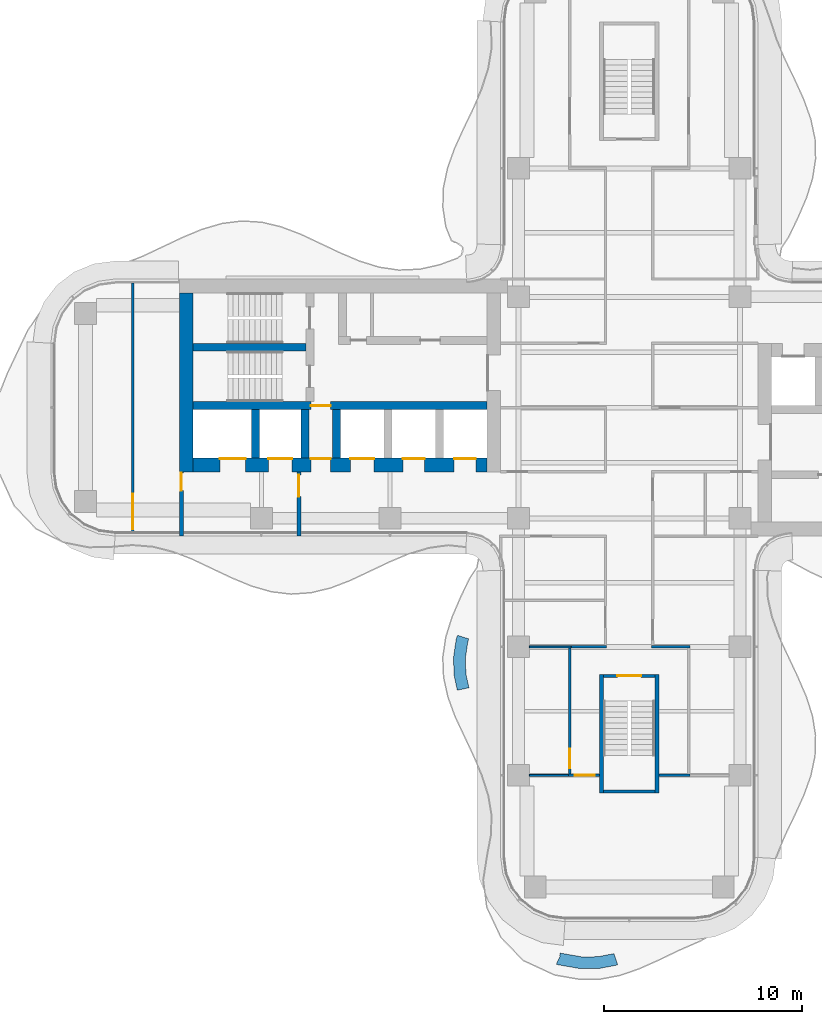
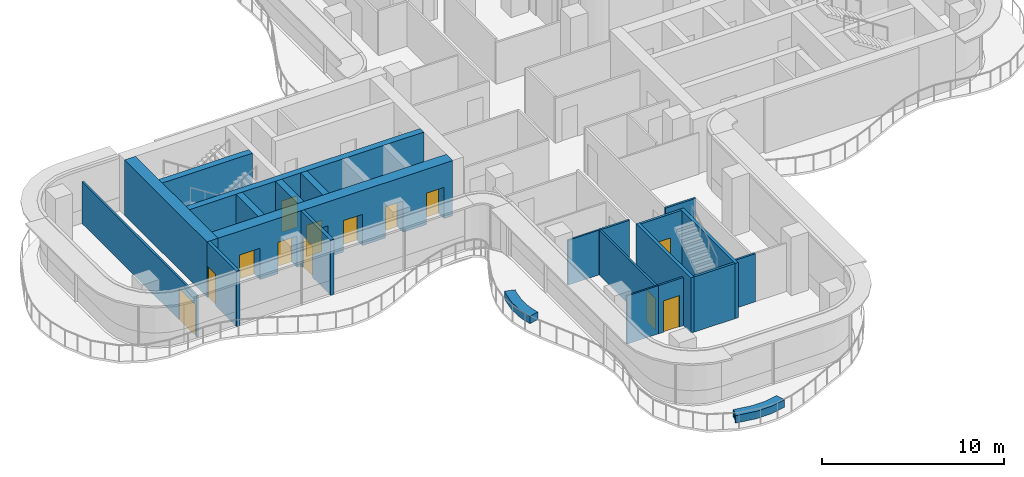
# One storey, part 13 of 18: 23 walls, 13 doors, 13 openings.
"""IFC4 building model written with IfcOpenShell, lengths in metres."""

from ifc_helpers import new_model, si_unit, direction, frame, frame_2d, origin, place, context, subcontext, project, spatial, polyline, rectangle, outline, extrude, source, transform, mapped, material, layer, layer_set, type_object, element, fill, save


model = new_model("IFC4")

# Units and contexts
model_context = context("Model", 3, precision=1e-05, world=origin(), true_north=direction((0.0, 1.0)))
body_context = subcontext(model_context, "Body", "Model", "MODEL_VIEW")
ifc_project = project(units=[si_unit("LENGTHUNIT", "METRE"), si_unit("AREAUNIT", "SQUARE_METRE"), si_unit("VOLUMEUNIT", "CUBIC_METRE"), si_unit("PLANEANGLEUNIT", "RADIAN"), si_unit("MASSUNIT", "GRAM", prefix="KILO")], contexts=[model_context])

# Site, building, storey
site_placement = place(None, origin())
site = spatial("IfcSite", under=ifc_project, at=site_placement, CompositionType="ELEMENT")
building_placement = place(site_placement, origin())
building = spatial("IfcBuilding", under=site, at=building_placement, Name="Trellis Farm Tower", CompositionType="ELEMENT")
storey_placement = place(building_placement, frame((0.0, 0.0, 224.60009765625)))
storey = spatial("IfcBuildingStorey", under=building, at=storey_placement, Name="L49", CompositionType="ELEMENT", Elevation=224.60009765625)

# Walls
ifc_material_1 = material(Name="Sandstone faced masonry planter", Category="masonry")
ifc_layer_1 = layer(ifc_material_1, 0.60009765625)
ifc_layer_set_1 = layer_set([ifc_layer_1], Name="PLANTER BED 600")
wall_type_1 = type_object("IfcWallType", Name="PLANTER BED 600", PredefinedType="USERDEFINED", material=ifc_layer_set_1)
placement = place(storey_placement, origin())
element("IfcWall", 1, at=placement, inside=storey, type_object=wall_type_1, Name="PLANTER bed", ObjectType="PLANTER", PredefinedType="USERDEFINED", context=body_context, shape_type="SweptSolid", body=[
    extrude(outline(polyline([(-3.496826171875, -27.74169921875), (-3.51708984375, -27.7353515625), (-3.4912109375, -27.587646484375), (-2.415771484375, -27.775390625), (-1.593017578125, -27.77197265625), (-0.773193359375, -27.6162109375), (-0.5791015625, -28.183837890625), (-1.53564453125, -28.371826171875), (-2.466552734375, -28.37548828125), (-3.63330078125, -28.171875), (-3.685302734375, -28.14794921875), (-3.496826171875, -27.74169921875)])), origin(), (0.0, 0.0, 1.0), 0.5),
])
element("IfcWall", 2, at=placement, inside=storey, type_object=wall_type_1, Name="PLANTER bed", ObjectType="PLANTER", PredefinedType="USERDEFINED", context=body_context, shape_type="SweptSolid", body=[
    extrude(outline(polyline([(-8.888671875, -12.6533203125), (-8.749267578125, -11.718505859375), (-8.686279296875, -11.517822265625), (-8.11376953125, -11.697509765625), (-8.16259765625, -11.853515625), (-8.287109375, -12.6865234375), (-8.257080078125, -13.476318359375), (-8.106689453125, -14.169189453125), (-8.693115234375, -14.29638671875), (-8.8544921875, -13.552001953125), (-8.888671875, -12.6533203125)])), origin(), (0.0, 0.0, 1.0), 0.5),
])
ifc_material_2 = material(Name="Concrete C60/75", Category="concrete")
ifc_layer_2 = layer(ifc_material_2, 0.699951171875)
ifc_layer_set_2 = layer_set([ifc_layer_2], Name="CORE OUTER WALL 700 CONCRETE C60/75")
wall_type_2 = type_object("IfcWallType", Name="CORE OUTER WALL 700 CONCRETE C60/75", PredefinedType="SHEAR", material=ifc_layer_set_2)
shared_shape_1 = source(origin(), body_context, "Body", "SweptSolid", [
    extrude(rectangle(XDim=9.050048828125, YDim=0.699951171875, at=frame_2d((4.52490234375, 0.0))), origin(), (0.0, 0.0, 1.0), 3.699951171875),
])
wall_3_placement = place(storey_placement, frame((-22.39990234375, 5.800048828125, 0.0), z_axis=(0.0, 0.0, 1.0), x_axis=(0.0, -1.0, 0.0)))
element("IfcWall", 3, at=wall_3_placement, inside=storey, type_object=wall_type_2, Name="Core wall", PredefinedType="SHEAR", context=body_context, shape_type="MappedRepresentation", body=[
    mapped(shared_shape_1, transform((0.0, 0.0, 0.0))),
])
ifc_layer_3 = layer(ifc_material_2, 0.39990234375)
ifc_layer_set_3 = layer_set([ifc_layer_3], Name="CORE INNER WALL 400 CONCRETE C60/75")
wall_type_3 = type_object("IfcWallType", Name="CORE INNER WALL 400 CONCRETE C60/75", PredefinedType="SHEAR", material=ifc_layer_set_3)
shared_shape_2 = source(origin(), body_context, "Body", "SweptSolid", [
    extrude(rectangle(XDim=2.449951171875, YDim=0.39990234375, at=frame_2d((1.22509765625, 0.0))), origin(), (0.0, 0.0, 1.0), 3.699951171875),
])
for number, where, z_axis, x_axis, name in (
    (4, (-14.800048828125, -0.10009765625, 0.0), (0.0, 0.0, 1.0), (0.0, -1.0, 0.0), "Core wall"),
    (5, (-16.39990234375, -0.10009765625, 0.0), (0.0, 0.0, 1.0), (0.0, -1.0, 0.0), "Core wall"),
    (6, (-18.89990234375, -0.10009765625, 0.0), (0.0, 0.0, 1.0), (0.0, -1.0, 0.0), "Core wall"),
):
    element("IfcWall", number, at=place(storey_placement, frame(where, z_axis=z_axis, x_axis=x_axis)), inside=storey, type_object=wall_type_3, Name=name, PredefinedType="SHEAR", context=body_context, shape_type="MappedRepresentation", body=[
        mapped(shared_shape_2, transform((0.0, 0.0, 0.0))),
    ])

# Wall, opening, door
ifc_material_3 = material(Name="Masonry blockwork", Category="masonry")
ifc_layer_4 = layer(ifc_material_3, 0.199951171875)
ifc_layer_set_4 = layer_set([ifc_layer_4], Name="FIRE LOBBY PARTITION 200 BLOCKWORK")
wall_type_4 = type_object("IfcWallType", Name="FIRE LOBBY PARTITION 200 BLOCKWORK", PredefinedType="PARTITIONING", material=ifc_layer_set_4)
shared_shape_3 = source(origin(), body_context, "Body", "SweptSolid", [
    extrude(rectangle(XDim=3.25, YDim=0.199951171875, at=frame_2d((1.625, 0.0))), origin(), (0.0, 0.0, 1.0), 3.699951171875),
])
wall_4_placement = place(storey_placement, frame((-16.699951171875, -3.25, 0.0), z_axis=(0.0, 0.0, 1.0), x_axis=(0.0, -1.0, 0.0)))
wall_4 = element("IfcWall", 7, at=wall_4_placement, inside=storey, type_object=wall_type_4, Name="Fire-fighting lobby partition", PredefinedType="PARTITIONING", context=body_context, shape_type="MappedRepresentation", body=[
    mapped(shared_shape_3, transform((0.0, 0.0, 0.0))),
])
shared_shape_4 = source(origin(), body_context, "Body", "SweptSolid", [
    extrude(rectangle(XDim=1.10009765625, YDim=2.10009765625, at=frame_2d((0.550048828125, 1.050048828125))), frame((0.0, 0.110107421875, 0.0), z_axis=(0.0, -1.0, 0.0), x_axis=(1.0, 0.0, 0.0)), (0.0, 0.0, 1.0), 0.22021484375),
])
opening_1_placement = place(wall_4_placement, frame((0.14990234375, 0.0, 0.0)))
opening_1 = element("IfcOpeningElement", 8, at=opening_1_placement, cuts=wall_4, Name="Opening DC93", PredefinedType="OPENING", context=body_context, shape_type="MappedRepresentation", body=[
    mapped(shared_shape_4, transform((0.0, 0.0, 0.0))),
])
ifc_material_4 = material(Name="Steel", Category="steel")
door_type_1 = type_object("IfcDoorType", Name="CORE FIRE DOOR 1100 X 2100", OperationType="NOTDEFINED", PredefinedType="DOOR", material=ifc_material_4)
shared_shape_5 = source(origin(), body_context, "Body", "SweptSolid", [
    extrude(rectangle(XDim=1.10009765625, YDim=2.10009765625, at=frame_2d((0.550048828125, 1.050048828125))), frame((0.0, 0.02490234375, 0.0), z_axis=(0.0, -1.0, 0.0), x_axis=(1.0, 0.0, 0.0)), (0.0, 0.0, 1.0), 0.050048828125),
])
door_1_placement = place(opening_1_placement, origin())
door_1 = element("IfcDoor", 9, at=door_1_placement, inside=storey, type_object=door_type_1, Name="Core door", OperationType="SINGLE_SWING_RIGHT", OverallHeight=2.10009765625, OverallWidth=1.10009765625, PredefinedType="DOOR", context=body_context, shape_type="MappedRepresentation", body=[
    mapped(shared_shape_5, transform((0.0, 0.0, 0.0))),
])
fill(opening_1, door_1)

wall_5_placement = place(storey_placement, frame((-22.64990234375, -3.25, 0.0), z_axis=(0.0, 0.0, 1.0), x_axis=(0.0, -1.0, 0.0)))
wall_5 = element("IfcWall", 10, at=wall_5_placement, inside=storey, type_object=wall_type_4, Name="Fire-fighting lobby partition", PredefinedType="PARTITIONING", context=body_context, shape_type="MappedRepresentation", body=[
    mapped(shared_shape_3, transform((0.0, 0.0, 0.0))),
])
shared_shape_6 = source(origin(), body_context, "Body", "SweptSolid", [
    extrude(rectangle(XDim=0.89990234375, YDim=2.10009765625, at=frame_2d((0.449951171875, 1.050048828125))), frame((0.0, 0.110107421875, 0.0), z_axis=(0.0, -1.0, 0.0), x_axis=(1.0, 0.0, 0.0)), (0.0, 0.0, 1.0), 0.22021484375),
])
opening_2_placement = place(wall_5_placement, frame((0.050048828125, 0.0, 0.0)))
opening_2 = element("IfcOpeningElement", 11, at=opening_2_placement, cuts=wall_5, Name="Opening DC94", PredefinedType="OPENING", context=body_context, shape_type="MappedRepresentation", body=[
    mapped(shared_shape_6, transform((0.0, 0.0, 0.0))),
])
door_type_2 = type_object("IfcDoorType", Name="CORE FIRE DOOR 900 X 2100", OperationType="NOTDEFINED", PredefinedType="DOOR", material=ifc_material_4)
shared_shape_7 = source(origin(), body_context, "Body", "SweptSolid", [
    extrude(rectangle(XDim=0.89990234375, YDim=2.10009765625, at=frame_2d((0.449951171875, 1.050048828125))), frame((0.0, 0.02490234375, 0.0), z_axis=(0.0, -1.0, 0.0), x_axis=(1.0, 0.0, 0.0)), (0.0, 0.0, 1.0), 0.050048828125),
])
door_2_placement = place(opening_2_placement, origin())
door_2 = element("IfcDoor", 12, at=door_2_placement, inside=storey, type_object=door_type_2, Name="Core door", OperationType="SINGLE_SWING_RIGHT", OverallHeight=2.10009765625, OverallWidth=0.89990234375, PredefinedType="DOOR", context=body_context, shape_type="MappedRepresentation", body=[
    mapped(shared_shape_7, transform((0.0, 0.0, 0.0))),
])
fill(opening_2, door_2)

# Wall, openings, doors
shared_shape_8 = source(origin(), body_context, "Body", "SweptSolid", [
    extrude(rectangle(XDim=14.85009765625, YDim=0.699951171875, at=frame_2d((7.425048828125, 0.0))), origin(), (0.0, 0.0, 1.0), 3.699951171875),
])
wall_6_placement = place(storey_placement, frame((-7.199951171875, -2.89990234375, 0.0), z_axis=(0.0, 0.0, 1.0), x_axis=(-1.0, 0.0, 0.0)))
wall_6 = element("IfcWall", 13, at=wall_6_placement, inside=storey, type_object=wall_type_2, Name="Core wall", PredefinedType="SHEAR", context=body_context, shape_type="MappedRepresentation", body=[
    mapped(shared_shape_8, transform((0.0, 0.0, 0.0))),
])
shared_shape_9 = source(origin(), body_context, "Body", "SweptSolid", [
    extrude(rectangle(XDim=1.10009765625, YDim=2.10009765625, at=frame_2d((0.550048828125, 1.050048828125))), frame((0.0, 0.360107421875, 0.0), z_axis=(0.0, -1.0, 0.0), x_axis=(1.0, 0.0, 0.0)), (0.0, 0.0, 1.0), 0.72021484375),
])
opening_3_placement = place(wall_6_placement, frame((0.550048828125, 0.0, 0.0)))
opening_3 = element("IfcOpeningElement", 14, at=opening_3_placement, cuts=wall_6, Name="Opening LD12", PredefinedType="OPENING", context=body_context, shape_type="MappedRepresentation", body=[
    mapped(shared_shape_9, transform((0.0, 0.0, 0.0))),
])
opening_4_placement = place(wall_6_placement, frame((3.14990234375, 0.0, 0.0)))
opening_4 = element("IfcOpeningElement", 15, at=opening_4_placement, cuts=wall_6, Name="Opening LD13", PredefinedType="OPENING", context=body_context, shape_type="MappedRepresentation", body=[
    mapped(shared_shape_9, transform((0.0, 0.0, 0.0))),
])
shared_shape_10 = source(origin(), body_context, "Body", "SweptSolid", [
    extrude(rectangle(XDim=1.199951171875, YDim=2.10009765625, at=frame_2d((0.60009765625, 1.050048828125))), frame((0.0, 0.360107421875, 0.0), z_axis=(0.0, -1.0, 0.0), x_axis=(1.0, 0.0, 0.0)), (0.0, 0.0, 1.0), 0.72021484375),
])
opening_5_placement = place(wall_6_placement, frame((5.699951171875, 0.0, 0.0)))
opening_5 = element("IfcOpeningElement", 16, at=opening_5_placement, cuts=wall_6, Name="Opening LD14", PredefinedType="OPENING", context=body_context, shape_type="MappedRepresentation", body=[
    mapped(shared_shape_10, transform((0.0, 0.0, 0.0))),
])
shared_shape_11 = source(origin(), body_context, "Body", "SweptSolid", [
    extrude(rectangle(XDim=1.300048828125, YDim=2.10009765625, at=frame_2d((0.64990234375, 1.050048828125))), frame((0.0, 0.360107421875, 0.0), z_axis=(0.0, -1.0, 0.0), x_axis=(1.0, 0.0, 0.0)), (0.0, 0.0, 1.0), 0.72021484375),
])
opening_6_placement = place(wall_6_placement, frame((12.199951171875, 0.0, 0.0)))
opening_6 = element("IfcOpeningElement", 17, at=opening_6_placement, cuts=wall_6, Name="Opening LD15", PredefinedType="OPENING", context=body_context, shape_type="MappedRepresentation", body=[
    mapped(shared_shape_11, transform((0.0, 0.0, 0.0))),
])
opening_7_placement = place(wall_6_placement, frame((9.85009765625, 0.0, 0.0)))
opening_7 = element("IfcOpeningElement", 18, at=opening_7_placement, cuts=wall_6, Name="Opening LD16", PredefinedType="OPENING", context=body_context, shape_type="MappedRepresentation", body=[
    mapped(shared_shape_10, transform((0.0, 0.0, 0.0))),
])
shared_shape_12 = source(origin(), body_context, "Body", "SweptSolid", [
    extrude(rectangle(XDim=1.0, YDim=2.10009765625, at=frame_2d((0.5, 1.050048828125))), frame((0.0, 0.360107421875, 0.0), z_axis=(0.0, -1.0, 0.0), x_axis=(1.0, 0.0, 0.0)), (0.0, 0.0, 1.0), 0.72021484375),
])
opening_8_placement = place(wall_6_placement, frame((7.89990234375, 0.0, 0.0)))
opening_8 = element("IfcOpeningElement", 19, at=opening_8_placement, cuts=wall_6, Name="Opening DC92", PredefinedType="OPENING", context=body_context, shape_type="MappedRepresentation", body=[
    mapped(shared_shape_12, transform((0.0, 0.0, 0.0))),
])
door_type_3 = type_object("IfcDoorType", Name="CORE FIRE DOOR 1000 X 2100", OperationType="NOTDEFINED", PredefinedType="DOOR", material=ifc_material_4)
shared_shape_13 = source(origin(), body_context, "Body", "SweptSolid", [
    extrude(rectangle(XDim=1.0, YDim=2.10009765625, at=frame_2d((0.5, 1.050048828125))), frame((0.0, -0.27490234375, 0.0), z_axis=(0.0, -1.0, 0.0), x_axis=(1.0, 0.0, 0.0)), (0.0, 0.0, 1.0), 0.050048828125),
])
door_3_placement = place(opening_8_placement, origin())
door_3 = element("IfcDoor", 20, at=door_3_placement, inside=storey, type_object=door_type_3, Name="Core door", OperationType="SINGLE_SWING_LEFT", OverallHeight=2.10009765625, OverallWidth=1.0, PredefinedType="DOOR", context=body_context, shape_type="MappedRepresentation", body=[
    mapped(shared_shape_13, transform((0.0, 0.0, 0.0))),
])
fill(opening_8, door_3)
ifc_material_5 = material(Name="Stainless steel", Category="steel")
door_type_4 = type_object("IfcDoorType", Name="LIFT LANDING DOOR 1300 X 2100", OperationType="DOUBLE_DOOR_SLIDING", PredefinedType="DOOR", material=ifc_material_5)
shared_shape_14 = source(origin(), body_context, "Body", "SweptSolid", [
    extrude(rectangle(XDim=1.300048828125, YDim=2.10009765625, at=frame_2d((0.64990234375, 1.050048828125))), frame((0.0, -0.27490234375, 0.0), z_axis=(0.0, -1.0, 0.0), x_axis=(1.0, 0.0, 0.0)), (0.0, 0.0, 1.0), 0.050048828125),
])
door_4_placement = place(opening_6_placement, origin())
door_4 = element("IfcDoor", 21, at=door_4_placement, inside=storey, type_object=door_type_4, Name="Lift landing door", OperationType="DOUBLE_DOOR_SLIDING", OverallHeight=2.10009765625, OverallWidth=1.300048828125, PredefinedType="DOOR", context=body_context, shape_type="MappedRepresentation", body=[
    mapped(shared_shape_14, transform((0.0, 0.0, 0.0))),
])
fill(opening_6, door_4)
door_type_5 = type_object("IfcDoorType", Name="LIFT LANDING DOOR 1200 X 2100", OperationType="DOUBLE_DOOR_SLIDING", PredefinedType="DOOR", material=ifc_material_5)
shared_shape_15 = source(origin(), body_context, "Body", "SweptSolid", [
    extrude(rectangle(XDim=1.199951171875, YDim=2.10009765625, at=frame_2d((0.60009765625, 1.050048828125))), frame((0.0, -0.27490234375, 0.0), z_axis=(0.0, -1.0, 0.0), x_axis=(1.0, 0.0, 0.0)), (0.0, 0.0, 1.0), 0.050048828125),
])
door_5_placement = place(opening_5_placement, origin())
door_5 = element("IfcDoor", 22, at=door_5_placement, inside=storey, type_object=door_type_5, Name="Lift landing door", OperationType="DOUBLE_DOOR_SLIDING", OverallHeight=2.10009765625, OverallWidth=1.199951171875, PredefinedType="DOOR", context=body_context, shape_type="MappedRepresentation", body=[
    mapped(shared_shape_15, transform((0.0, 0.0, 0.0))),
])
fill(opening_5, door_5)
door_6_placement = place(opening_7_placement, origin())
door_6 = element("IfcDoor", 23, at=door_6_placement, inside=storey, type_object=door_type_5, Name="Lift landing door", OperationType="DOUBLE_DOOR_SLIDING", OverallHeight=2.10009765625, OverallWidth=1.199951171875, PredefinedType="DOOR", context=body_context, shape_type="MappedRepresentation", body=[
    mapped(shared_shape_15, transform((0.0, 0.0, 0.0))),
])
fill(opening_7, door_6)
door_type_6 = type_object("IfcDoorType", Name="LIFT LANDING DOOR 1100 X 2100", OperationType="DOUBLE_DOOR_SLIDING", PredefinedType="DOOR", material=ifc_material_5)
shared_shape_16 = source(origin(), body_context, "Body", "SweptSolid", [
    extrude(rectangle(XDim=1.10009765625, YDim=2.10009765625, at=frame_2d((0.550048828125, 1.050048828125))), frame((0.0, -0.27490234375, 0.0), z_axis=(0.0, -1.0, 0.0), x_axis=(1.0, 0.0, 0.0)), (0.0, 0.0, 1.0), 0.050048828125),
])
door_7_placement = place(opening_3_placement, origin())
door_7 = element("IfcDoor", 24, at=door_7_placement, inside=storey, type_object=door_type_6, Name="Lift landing door", OperationType="DOUBLE_DOOR_SLIDING", OverallHeight=2.10009765625, OverallWidth=1.10009765625, PredefinedType="DOOR", context=body_context, shape_type="MappedRepresentation", body=[
    mapped(shared_shape_16, transform((0.0, 0.0, 0.0))),
])
fill(opening_3, door_7)
door_8_placement = place(opening_4_placement, origin())
door_8 = element("IfcDoor", 25, at=door_8_placement, inside=storey, type_object=door_type_6, Name="Lift landing door", OperationType="DOUBLE_DOOR_SLIDING", OverallHeight=2.10009765625, OverallWidth=1.10009765625, PredefinedType="DOOR", context=body_context, shape_type="MappedRepresentation", body=[
    mapped(shared_shape_16, transform((0.0, 0.0, 0.0))),
])
fill(opening_4, door_8)

# Wall, opening, door
shared_shape_17 = source(origin(), body_context, "Body", "SweptSolid", [
    extrude(rectangle(XDim=14.85009765625, YDim=0.39990234375, at=frame_2d((7.425048828125, 0.0))), origin(), (0.0, 0.0, 1.0), 3.699951171875),
])
wall_7_placement = place(storey_placement, frame((-7.199951171875, 0.10009765625, 0.0), z_axis=(0.0, 0.0, 1.0), x_axis=(-1.0, 0.0, 0.0)))
wall_7 = element("IfcWall", 26, at=wall_7_placement, inside=storey, type_object=wall_type_3, Name="Core wall", PredefinedType="SHEAR", context=body_context, shape_type="MappedRepresentation", body=[
    mapped(shared_shape_17, transform((0.0, 0.0, 0.0))),
])
shared_shape_18 = source(origin(), body_context, "Body", "SweptSolid", [
    extrude(rectangle(XDim=1.0, YDim=2.10009765625, at=frame_2d((0.5, 1.050048828125))), frame((0.0, 0.2099609375, 0.0), z_axis=(0.0, -1.0, 0.0), x_axis=(1.0, 0.0, 0.0)), (0.0, 0.0, 1.0), 0.419921875),
])
opening_9_placement = place(wall_7_placement, frame((7.89990234375, 0.0, 0.0)))
opening_9 = element("IfcOpeningElement", 27, at=opening_9_placement, cuts=wall_7, Name="Opening DC91", PredefinedType="OPENING", context=body_context, shape_type="MappedRepresentation", body=[
    mapped(shared_shape_18, transform((0.0, 0.0, 0.0))),
])
shared_shape_19 = source(origin(), body_context, "Body", "SweptSolid", [
    extrude(rectangle(XDim=1.0, YDim=2.10009765625, at=frame_2d((0.5, 1.050048828125))), frame((0.0, 0.02490234375, 0.0), z_axis=(0.0, -1.0, 0.0), x_axis=(1.0, 0.0, 0.0)), (0.0, 0.0, 1.0), 0.050048828125),
])
door_9_placement = place(opening_9_placement, origin())
door_9 = element("IfcDoor", 28, at=door_9_placement, inside=storey, type_object=door_type_3, Name="Core door", OperationType="SINGLE_SWING_RIGHT", OverallHeight=2.10009765625, OverallWidth=1.0, PredefinedType="DOOR", context=body_context, shape_type="MappedRepresentation", body=[
    mapped(shared_shape_19, transform((0.0, 0.0, 0.0))),
])
fill(opening_9, door_9)

# Walls
shared_shape_20 = source(origin(), body_context, "Body", "SweptSolid", [
    extrude(rectangle(XDim=5.699951171875, YDim=0.39990234375, at=frame_2d((2.85009765625, 0.0))), origin(), (0.0, 0.0, 1.0), 3.699951171875),
])
wall_8_placement = place(storey_placement, frame((-16.35009765625, 3.050048828125, 0.0), z_axis=(0.0, 0.0, 1.0), x_axis=(-1.0, 0.0, 0.0)))
element("IfcWall", 29, at=wall_8_placement, inside=storey, type_object=wall_type_3, Name="Core wall", PredefinedType="SHEAR", context=body_context, shape_type="MappedRepresentation", body=[
    mapped(shared_shape_20, transform((0.0, 0.0, 0.0))),
])
ifc_layer_5 = layer(ifc_material_2, 0.199951171875)
ifc_layer_set_5 = layer_set([ifc_layer_5], Name="CORE STAIR ENCLOSURE WALL 200 CONCRETE C60/75")
wall_type_5 = type_object("IfcWallType", Name="CORE STAIR ENCLOSURE WALL 200 CONCRETE C60/75", PredefinedType="SHEAR", material=ifc_layer_set_5)
shared_shape_21 = source(origin(), body_context, "Body", "SweptSolid", [
    extrude(rectangle(XDim=6.0, YDim=0.199951171875, at=frame_2d((3.0, 0.0))), origin(), (0.0, 0.0, 1.0), 3.699951171875),
])
for number, where, z_axis, x_axis, name in (
    (30, (1.39990234375, -13.5, 0.0), (0.0, 0.0, 1.0), (0.0, -1.0, 0.0), "Stair enclosure wall"),
    (31, (-1.39990234375, -13.5, 0.0), (0.0, 0.0, 1.0), (0.0, -1.0, 0.0), "Stair enclosure wall"),
):
    element("IfcWall", number, at=place(storey_placement, frame(where, z_axis=z_axis, x_axis=x_axis)), inside=storey, type_object=wall_type_5, Name=name, PredefinedType="SHEAR", context=body_context, shape_type="MappedRepresentation", body=[
        mapped(shared_shape_21, transform((0.0, 0.0, 0.0))),
    ])

# Wall, opening, door
ifc_layer_6 = layer(ifc_material_2, 0.14990234375)
ifc_layer_set_6 = layer_set([ifc_layer_6], Name="CORE STAIR ENCLOSURE WALL 150 CONCRETE C60/75")
wall_type_6 = type_object("IfcWallType", Name="CORE STAIR ENCLOSURE WALL 150 CONCRETE C60/75", PredefinedType="SHEAR", material=ifc_layer_set_6)
shared_shape_22 = source(origin(), body_context, "Body", "SweptSolid", [
    extrude(rectangle(XDim=2.60009765625, YDim=0.14990234375, at=frame_2d((1.300048828125, 0.0))), origin(), (0.0, 0.0, 1.0), 3.699951171875),
])
wall_9_placement = place(storey_placement, frame((1.300048828125, -13.574951171875, 0.0), z_axis=(0.0, 0.0, 1.0), x_axis=(-1.0, 0.0, 0.0)))
wall_9 = element("IfcWall", 32, at=wall_9_placement, inside=storey, type_object=wall_type_6, Name="Stair enclosure wall", PredefinedType="SHEAR", context=body_context, shape_type="MappedRepresentation", body=[
    mapped(shared_shape_22, transform((0.0, 0.0, 0.0))),
])
shared_shape_23 = source(origin(), body_context, "Body", "SweptSolid", [
    extrude(rectangle(XDim=1.199951171875, YDim=2.10009765625, at=frame_2d((0.60009765625, 1.050048828125))), frame((0.0, 0.0849609375, 0.0), z_axis=(0.0, -1.0, 0.0), x_axis=(1.0, 0.0, 0.0)), (0.0, 0.0, 1.0), 0.169921875),
])
opening_10_placement = place(wall_9_placement, frame((0.699951171875, 0.0, 0.0)))
opening_10 = element("IfcOpeningElement", 33, at=opening_10_placement, cuts=wall_9, Name="Opening DC174", PredefinedType="OPENING", context=body_context, shape_type="MappedRepresentation", body=[
    mapped(shared_shape_23, transform((0.0, 0.0, 0.0))),
])
door_type_7 = type_object("IfcDoorType", Name="CORE FIRE DOOR 1200 X 2100", OperationType="NOTDEFINED", PredefinedType="DOOR", material=ifc_material_4)
shared_shape_24 = source(origin(), body_context, "Body", "SweptSolid", [
    extrude(rectangle(XDim=1.199951171875, YDim=2.10009765625, at=frame_2d((0.60009765625, 1.050048828125))), frame((0.0, 0.02490234375, 0.0), z_axis=(0.0, -1.0, 0.0), x_axis=(1.0, 0.0, 0.0)), (0.0, 0.0, 1.0), 0.050048828125),
])
door_10_placement = place(opening_10_placement, origin())
door_10 = element("IfcDoor", 34, at=door_10_placement, inside=storey, type_object=door_type_7, Name="Core door", OperationType="SINGLE_SWING_RIGHT", OverallHeight=2.10009765625, OverallWidth=1.199951171875, PredefinedType="DOOR", context=body_context, shape_type="MappedRepresentation", body=[
    mapped(shared_shape_24, transform((0.0, 0.0, 0.0))),
])
fill(opening_10, door_10)

# Wall
wall_10_placement = place(storey_placement, frame((1.300048828125, -19.425048828125, 0.0), z_axis=(0.0, 0.0, 1.0), x_axis=(-1.0, 0.0, 0.0)))
element("IfcWall", 35, at=wall_10_placement, inside=storey, type_object=wall_type_6, Name="Stair enclosure wall", PredefinedType="SHEAR", context=body_context, shape_type="MappedRepresentation", body=[
    mapped(shared_shape_22, transform((0.0, 0.0, 0.0))),
])

# Wall, opening, door
ifc_material_6 = material(Name="Plasterboard on steel studs, mineral wool", Category="steel")
ifc_layer_7 = layer(ifc_material_6, 0.125)
ifc_layer_set_7 = layer_set([ifc_layer_7], Name="PARTITION 125 STUD EI 60")
wall_type_7 = type_object("IfcWallType", Name="PARTITION 125 STUD EI 60", PredefinedType="PARTITIONING", material=ifc_layer_set_7)
shared_shape_25 = source(origin(), body_context, "Body", "SweptSolid", [
    extrude(rectangle(XDim=1.5625, YDim=0.125, at=frame_2d((0.78125, 0.0))), origin(), (0.0, 0.0, 1.0), 3.222900390625),
])
wall_11_placement = place(storey_placement, frame((-1.5, -18.60009765625, 0.0), z_axis=(0.0, 0.0, 1.0), x_axis=(-1.0, 0.0, 0.0)))
wall_11 = element("IfcWall", 36, at=wall_11_placement, inside=storey, type_object=wall_type_7, Name="Partition PW1", PredefinedType="PARTITIONING", context=body_context, shape_type="MappedRepresentation", body=[
    mapped(shared_shape_25, transform((0.0, 0.0, 0.0))),
])
shared_shape_26 = source(origin(), body_context, "Body", "SweptSolid", [
    extrude(rectangle(XDim=1.0, YDim=2.10009765625, at=frame_2d((0.5, 1.050048828125))), frame((0.0, 0.072509765625, 0.0), z_axis=(0.0, -1.0, 0.0), x_axis=(1.0, 0.0, 0.0)), (0.0, 0.0, 1.0), 0.14501953125),
])
opening_11_placement = place(wall_11_placement, frame((0.25, 0.0, 0.0)))
opening_11 = element("IfcOpeningElement", 37, at=opening_11_placement, cuts=wall_11, Name="Opening D101", PredefinedType="OPENING", context=body_context, shape_type="MappedRepresentation", body=[
    mapped(shared_shape_26, transform((0.0, 0.0, 0.0))),
])
ifc_material_7 = material(Name="Fire-rated timber door leaf in a hollow metal frame", Category="wood")
door_type_8 = type_object("IfcDoorType", Name="DOOR 1000x2100 FD30S", OperationType="NOTDEFINED", PredefinedType="DOOR", material=ifc_material_7)
door_11_placement = place(opening_11_placement, origin())
door_11 = element("IfcDoor", 38, at=door_11_placement, inside=storey, type_object=door_type_8, Name="Door D101", OperationType="SINGLE_SWING_LEFT", OverallHeight=2.10009765625, OverallWidth=1.0, PredefinedType="DOOR", context=body_context, shape_type="MappedRepresentation", body=[
    mapped(shared_shape_19, transform((0.0, 0.0, 0.0))),
])
fill(opening_11, door_11)

# Wall
wall_12_placement = place(storey_placement, frame((3.0625, -18.60009765625, 0.0), z_axis=(0.0, 0.0, 1.0), x_axis=(-1.0, 0.0, 0.0)))
element("IfcWall", 39, at=wall_12_placement, inside=storey, type_object=wall_type_7, Name="Partition PW1", PredefinedType="PARTITIONING", context=body_context, shape_type="MappedRepresentation", body=[
    mapped(shared_shape_25, transform((0.0, 0.0, 0.0))),
])

# Wall, opening, door
shared_shape_27 = source(origin(), body_context, "Body", "SweptSolid", [
    extrude(rectangle(XDim=6.400146484375, YDim=0.125, at=frame_2d((3.2001953125, 0.0))), origin(), (0.0, 0.0, 1.0), 2.99658203125),
])
wall_13_placement = place(storey_placement, frame((-3.0, -18.550048828125, 0.0), z_axis=(0.0, 0.0, 1.0), x_axis=(0.0, 1.0, 0.0)))
wall_13 = element("IfcWall", 40, at=wall_13_placement, inside=storey, type_object=wall_type_7, Name="Partition PW1", PredefinedType="PARTITIONING", context=body_context, shape_type="MappedRepresentation", body=[
    mapped(shared_shape_27, transform((0.0, 0.0, 0.0))),
])
opening_12_placement = place(wall_13_placement, frame((0.300048828125, 0.0, 0.0)))
opening_12 = element("IfcOpeningElement", 41, at=opening_12_placement, cuts=wall_13, Name="Opening D102", PredefinedType="OPENING", context=body_context, shape_type="MappedRepresentation", body=[
    mapped(shared_shape_26, transform((0.0, 0.0, 0.0))),
])
door_12_placement = place(opening_12_placement, origin())
door_12 = element("IfcDoor", 42, at=door_12_placement, inside=storey, type_object=door_type_8, Name="Door D102", OperationType="SINGLE_SWING_LEFT", OverallHeight=2.10009765625, OverallWidth=1.0, PredefinedType="DOOR", context=body_context, shape_type="MappedRepresentation", body=[
    mapped(shared_shape_19, transform((0.0, 0.0, 0.0))),
])
fill(opening_12, door_12)

# Walls
shared_shape_28 = source(origin(), body_context, "Body", "SweptSolid", [
    extrude(rectangle(XDim=1.925048828125, YDim=0.125, at=frame_2d((0.96240234375, 0.0))), origin(), (0.0, 0.0, 1.0), 2.99658203125),
])
for number, where, z_axis, x_axis, name in (
    (43, (-3.0625, -12.10009765625, 0.0), (0.0, 0.0, 1.0), (1.0, 0.0, 0.0), "Partition PW1"),
    (44, (1.137451171875, -12.10009765625, 0.0), (0.0, 0.0, 1.0), (1.0, 0.0, 0.0), "Partition PW1"),
):
    element("IfcWall", number, at=place(storey_placement, frame(where, z_axis=z_axis, x_axis=x_axis)), inside=storey, type_object=wall_type_7, Name=name, PredefinedType="PARTITIONING", context=body_context, shape_type="MappedRepresentation", body=[
        mapped(shared_shape_28, transform((0.0, 0.0, 0.0))),
    ])

# Wall, opening, door
shared_shape_29 = source(origin(), body_context, "Body", "SweptSolid", [
    extrude(rectangle(XDim=12.60009765625, YDim=0.125, at=frame_2d((6.300048828125, 0.0))), origin(), (0.0, 0.0, 1.0), 2.77978515625),
])
wall_14_placement = place(storey_placement, frame((-25.10009765625, -6.300048828125, 0.0), z_axis=(0.0, 0.0, 1.0), x_axis=(0.0, 1.0, 0.0)))
wall_14 = element("IfcWall", 45, at=wall_14_placement, inside=storey, type_object=wall_type_7, Name="Partition PW1", PredefinedType="PARTITIONING", context=body_context, shape_type="MappedRepresentation", body=[
    mapped(shared_shape_29, transform((0.0, 0.0, 0.0))),
])
shared_shape_30 = source(origin(), body_context, "Body", "SweptSolid", [
    extrude(rectangle(XDim=1.800048828125, YDim=2.10009765625, at=frame_2d((0.89990234375, 1.050048828125))), frame((0.0, 0.072509765625, 0.0), z_axis=(0.0, -1.0, 0.0), x_axis=(1.0, 0.0, 0.0)), (0.0, 0.0, 1.0), 0.14501953125),
])
opening_13_placement = place(wall_14_placement, frame((0.14990234375, 0.0, 0.0)))
opening_13 = element("IfcOpeningElement", 46, at=opening_13_placement, cuts=wall_14, Name="Opening D201", PredefinedType="OPENING", context=body_context, shape_type="MappedRepresentation", body=[
    mapped(shared_shape_30, transform((0.0, 0.0, 0.0))),
])
door_type_9 = type_object("IfcDoorType", Name="DOOR PAIR 1800x2100 FD30S", OperationType="NOTDEFINED", PredefinedType="DOOR", material=ifc_material_7)
shared_shape_31 = source(origin(), body_context, "Body", "SweptSolid", [
    extrude(rectangle(XDim=1.800048828125, YDim=2.10009765625, at=frame_2d((0.89990234375, 1.050048828125))), frame((0.0, 0.02490234375, 0.0), z_axis=(0.0, -1.0, 0.0), x_axis=(1.0, 0.0, 0.0)), (0.0, 0.0, 1.0), 0.050048828125),
])
door_13_placement = place(opening_13_placement, origin())
door_13 = element("IfcDoor", 47, at=door_13_placement, inside=storey, type_object=door_type_9, Name="Door D201", OperationType="DOUBLE_DOOR_SINGLE_SWING", OverallHeight=2.10009765625, OverallWidth=1.800048828125, PredefinedType="DOOR", context=body_context, shape_type="MappedRepresentation", body=[
    mapped(shared_shape_31, transform((0.0, 0.0, 0.0))),
])
fill(opening_13, door_13)

# Walls
ifc_material_8 = material(Name="Plasterboard on steel studs", Category="steel")
ifc_layer_8 = layer(ifc_material_8, 0.10009765625)
ifc_layer_set_8 = layer_set([ifc_layer_8], Name="PARTITION 100 STUD EI 30")
wall_type_8 = type_object("IfcWallType", Name="PARTITION 100 STUD EI 30", PredefinedType="PARTITIONING", material=ifc_layer_set_8)
shared_shape_32 = source(origin(), body_context, "Body", "SweptSolid", [
    extrude(rectangle(XDim=2.112548828125, YDim=0.10009765625, at=frame_2d((1.05615234375, 0.0))), origin(), (0.0, 0.0, 1.0), 3.222900390625),
])
wall_15_placement = place(storey_placement, frame((-5.050048828125, -18.60009765625, 0.0), z_axis=(0.0, 0.0, 1.0), x_axis=(1.0, 0.0, 0.0)))
element("IfcWall", 48, at=wall_15_placement, inside=storey, type_object=wall_type_8, Name="Partition PW2", PredefinedType="PARTITIONING", context=body_context, shape_type="MappedRepresentation", body=[
    mapped(shared_shape_32, transform((0.0, 0.0, 0.0))),
])
shared_shape_33 = source(origin(), body_context, "Body", "SweptSolid", [
    extrude(rectangle(XDim=2.112548828125, YDim=0.10009765625, at=frame_2d((1.05615234375, 0.0))), origin(), (0.0, 0.0, 1.0), 2.99658203125),
])
wall_16_placement = place(storey_placement, frame((-5.050048828125, -12.10009765625, 0.0), z_axis=(0.0, 0.0, 1.0), x_axis=(1.0, 0.0, 0.0)))
element("IfcWall", 49, at=wall_16_placement, inside=storey, type_object=wall_type_8, Name="Partition PW2", PredefinedType="PARTITIONING", context=body_context, shape_type="MappedRepresentation", body=[
    mapped(shared_shape_33, transform((0.0, 0.0, 0.0))),
])

save(model, "model.ifc")
